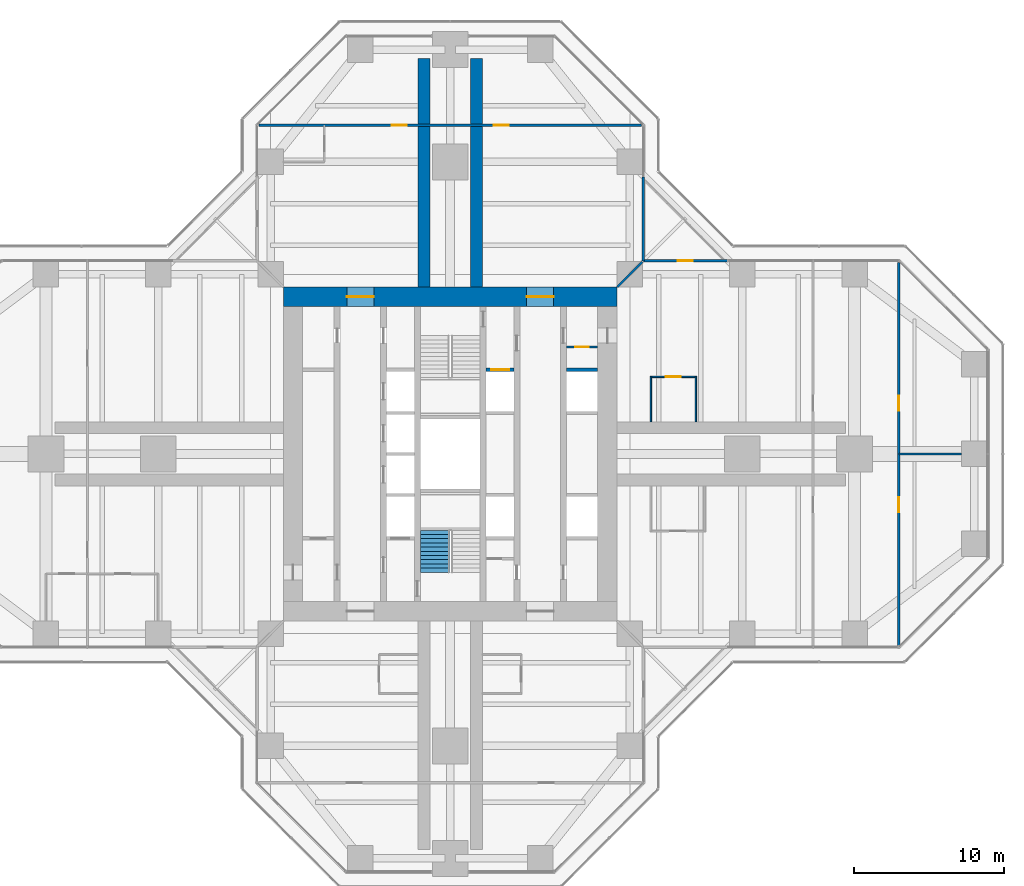
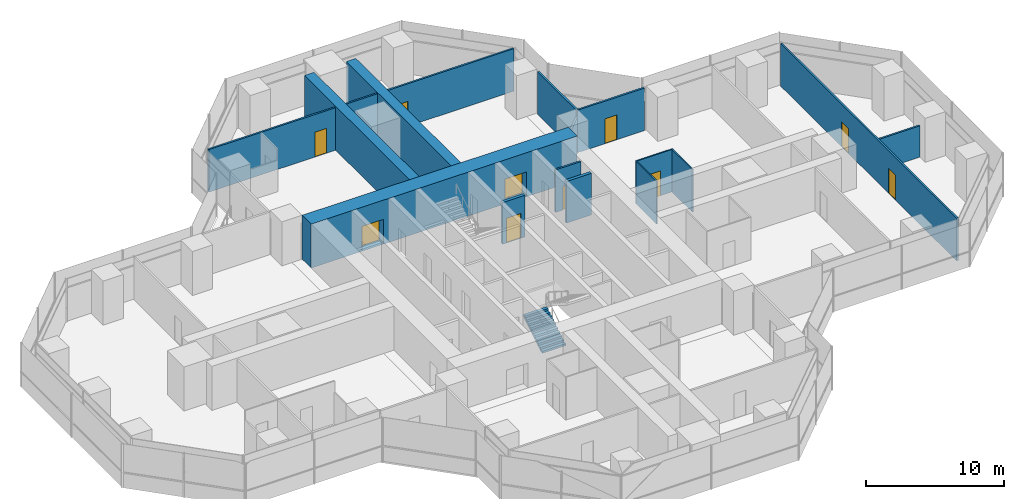
# One storey, part 17 of 19: 15 walls, 10 doors, 1 stair flight, 10 openings, 1 element without a shape of its own.
"""IFC4 building model written with IfcOpenShell, lengths in metres."""

from ifc_helpers import new_model, si_unit, direction, frame, frame_2d, origin, place, context, subcontext, project, spatial, polyline, rectangle, outline, extrude, material, layer, layer_set, type_object, element, fill, aggregate, save


model = new_model("IFC4")

# Units and contexts
model_context = context("Model", 3, precision=1e-05, world=origin(), true_north=direction((0.0, 1.0)))
body_context = subcontext(model_context, "Body", "Model", "MODEL_VIEW")
ifc_project = project(units=[si_unit("LENGTHUNIT", "METRE"), si_unit("AREAUNIT", "SQUARE_METRE"), si_unit("VOLUMEUNIT", "CUBIC_METRE"), si_unit("PLANEANGLEUNIT", "RADIAN"), si_unit("MASSUNIT", "GRAM", prefix="KILO")], contexts=[model_context])

# Site, building, storey
site_placement = place(None, origin())
site = spatial("IfcSite", under=ifc_project, at=site_placement, CompositionType="ELEMENT")
building_placement = place(site_placement, origin())
building = spatial("IfcBuilding", under=site, at=building_placement, Name="Mizan Broadcast Tower", CompositionType="ELEMENT")
storey_placement = place(building_placement, frame((0.0, 0.0, 186.60009765625)))
storey = spatial("IfcBuildingStorey", under=building, at=storey_placement, Name="L43", CompositionType="ELEMENT", Elevation=186.60009765625)

# Wall, opening, door
ifc_material_1 = material(Name="Concrete blockwork", Category="masonry")
ifc_layer_1 = layer(ifc_material_1, 0.14990234375)
ifc_layer_set_1 = layer_set([ifc_layer_1], Name="Concrete blockwork")
wall_type_1 = type_object("IfcWallType", Name="CORE PARTITION 150", PredefinedType="SOLIDWALL", material=ifc_layer_set_1)
wall_1_placement = place(storey_placement, frame((9.85009765625, 7.14990234375, 0.0), z_axis=(0.0, 0.0, 1.0), x_axis=(-1.0, 0.0, 0.0)))
wall_1 = element("IfcWall", 1, at=wall_1_placement, inside=storey, type_object=wall_type_1, Name="Core partition CORE/XPE", PredefinedType="SOLIDWALL", context=body_context, shape_type="SweptSolid", body=[
    extrude(rectangle(XDim=2.10009765625, YDim=0.14990234375, at=frame_2d((1.050048828125, 0.0))), origin(), (0.0, 0.0, 1.0), 3.77001953125),
])
opening_1_placement = place(wall_1_placement, frame((0.60009765625, 0.0, 0.0)))
opening_1 = element("IfcOpeningElement", 2, at=opening_1_placement, cuts=wall_1, Name="Opening D09F", PredefinedType="OPENING", context=body_context, shape_type="SweptSolid", body=[
    extrude(rectangle(XDim=0.89990234375, YDim=2.10009765625, at=frame_2d((0.449951171875, 1.050048828125))), frame((0.0, 0.0849609375, 0.0), z_axis=(0.0, -1.0, 0.0), x_axis=(1.0, 0.0, 0.0)), (0.0, 0.0, 1.0), 0.169921875),
])
ifc_material_2 = material(Name="Steel door leaf in steel frame", Category="steel")
door_type_1 = type_object("IfcDoorType", Name="CORE ROOM DOOR 900 FD90", OperationType="SINGLE_SWING_LEFT", PredefinedType="DOOR", material=ifc_material_2)
door_1_placement = place(opening_1_placement, origin())
door_1 = element("IfcDoor", 3, at=door_1_placement, inside=storey, type_object=door_type_1, Name="Electrical cupboard door", OperationType="SINGLE_SWING_RIGHT", OverallHeight=2.10009765625, OverallWidth=0.89990234375, PredefinedType="DOOR", context=body_context, shape_type="SweptSolid", body=[
    extrude(rectangle(XDim=0.89990234375, YDim=2.10009765625, at=frame_2d((0.449951171875, 1.050048828125))), frame((0.0, 0.02490234375, 0.0), z_axis=(0.0, -1.0, 0.0), x_axis=(1.0, 0.0, 0.0)), (0.0, 0.0, 1.0), 0.050048828125),
])
fill(opening_1, door_1)

# Wall, openings, doors
ifc_material_3 = material(Name="Concrete C70/85", Category="concrete")
ifc_layer_2 = layer(ifc_material_3, 1.300048828125)
ifc_layer_set_2 = layer_set([ifc_layer_2], Name="Concrete C70/85")
wall_type_2 = type_object("IfcWallType", Name="CORE WALL 1300", PredefinedType="SHEAR", material=ifc_layer_set_2)
wall_2_placement = place(storey_placement, frame((-11.14990234375, 10.5, 0.0), z_axis=(0.0, 0.0, 1.0), x_axis=(1.0, 0.0, 0.0)))
wall_2 = element("IfcWall", 4, at=wall_2_placement, inside=storey, type_object=wall_type_2, Name="Core wall N L43", PredefinedType="SHEAR", context=body_context, shape_type="SweptSolid", body=[
    extrude(rectangle(XDim=22.2998046875, YDim=1.300048828125, at=frame_2d((11.14990234375, 0.0))), origin(), (0.0, 0.0, 1.0), 3.89990234375),
])
opening_2_placement = place(wall_2_placement, frame((4.25, 0.0, 0.0)))
opening_2 = element("IfcOpeningElement", 5, at=opening_2_placement, cuts=wall_2, Name="Opening D18F", PredefinedType="OPENING", context=body_context, shape_type="SweptSolid", body=[
    extrude(rectangle(XDim=1.800048828125, YDim=2.199951171875, at=frame_2d((0.89990234375, 1.10009765625))), frame((0.0, 0.659912109375, 0.0), z_axis=(0.0, -1.0, 0.0), x_axis=(1.0, 0.0, 0.0)), (0.0, 0.0, 1.0), 1.320068359375),
])
opening_3_placement = place(wall_2_placement, frame((16.25, 0.0, 0.0)))
opening_3 = element("IfcOpeningElement", 6, at=opening_3_placement, cuts=wall_2, Name="Opening D18F", PredefinedType="OPENING", context=body_context, shape_type="SweptSolid", body=[
    extrude(rectangle(XDim=1.800048828125, YDim=2.199951171875, at=frame_2d((0.89990234375, 1.10009765625))), frame((0.0, 0.659912109375, 0.0), z_axis=(0.0, -1.0, 0.0), x_axis=(1.0, 0.0, 0.0)), (0.0, 0.0, 1.0), 1.320068359375),
])
ifc_material_4 = material(Name="Steel door leaf in steel frame", Category="steel")
door_type_2 = type_object("IfcDoorType", Name="LOBBY DOUBLE DOOR 1800 FD90", OperationType="DOUBLE_DOOR_DOUBLE_SWING", PredefinedType="DOOR", material=ifc_material_4)
door_2_placement = place(opening_2_placement, origin())
door_2 = element("IfcDoor", 7, at=door_2_placement, inside=storey, type_object=door_type_2, Name="West lift lobby north door", OperationType="DOUBLE_DOOR_DOUBLE_SWING", OverallHeight=2.199951171875, OverallWidth=1.800048828125, PredefinedType="DOOR", context=body_context, shape_type="SweptSolid", body=[
    extrude(rectangle(XDim=1.800048828125, YDim=2.199951171875, at=frame_2d((0.89990234375, 1.10009765625))), frame((0.0, 0.02490234375, 0.0), z_axis=(0.0, -1.0, 0.0), x_axis=(1.0, 0.0, 0.0)), (0.0, 0.0, 1.0), 0.050048828125),
])
fill(opening_2, door_2)
door_3_placement = place(opening_3_placement, origin())
door_3 = element("IfcDoor", 8, at=door_3_placement, inside=storey, type_object=door_type_2, Name="East lift lobby north door", OperationType="DOUBLE_DOOR_DOUBLE_SWING", OverallHeight=2.199951171875, OverallWidth=1.800048828125, PredefinedType="DOOR", context=body_context, shape_type="SweptSolid", body=[
    extrude(rectangle(XDim=1.800048828125, YDim=2.199951171875, at=frame_2d((0.89990234375, 1.10009765625))), frame((0.0, 0.02490234375, 0.0), z_axis=(0.0, -1.0, 0.0), x_axis=(1.0, 0.0, 0.0)), (0.0, 0.0, 1.0), 0.050048828125),
])
fill(opening_3, door_3)

# Wall, opening, door
ifc_material_5 = material(Name="Aluminium framed glazed screen", Category="aluminium")
ifc_layer_3 = layer(ifc_material_5, 0.159912109375)
ifc_layer_set_3 = layer_set([ifc_layer_3], Name="Aluminium framed glazed screen")
wall_type_3 = type_object("IfcWallType", Name="GLAZED SCREEN WALL 160", PredefinedType="SOLIDWALL", material=ifc_layer_set_3)
wall_3_placement = place(storey_placement, frame((18.5, 12.89990234375, 0.0), z_axis=(0.0, 0.0, 1.0), x_axis=(-1.0, 0.0, 0.0)))
wall_3 = element("IfcWall", 9, at=wall_3_placement, inside=storey, type_object=wall_type_3, Name="Winter garden screen L43 E", PredefinedType="SOLIDWALL", context=body_context, shape_type="SweptSolid", body=[
    extrude(rectangle(XDim=5.60009765625, YDim=0.159912109375, at=frame_2d((2.800048828125, 0.0))), origin(), (0.0, 0.0, 1.0), 3.77001953125),
])
opening_4_placement = place(wall_3_placement, frame((2.300048828125, 0.0, 0.0)))
opening_4 = element("IfcOpeningElement", 10, at=opening_4_placement, cuts=wall_3, Name="Opening WGD", PredefinedType="OPENING", context=body_context, shape_type="SweptSolid", body=[
    extrude(rectangle(XDim=1.0, YDim=2.199951171875, at=frame_2d((0.5, 1.10009765625))), frame((0.0, 0.08984375, 0.0), z_axis=(0.0, -1.0, 0.0), x_axis=(1.0, 0.0, 0.0)), (0.0, 0.0, 1.0), 0.179931640625),
])
ifc_material_6 = material(Name="Aluminium framed glazed door", Category="aluminium")
door_type_3 = type_object("IfcDoorType", Name="WINTER GARDEN DOOR 1000 GLAZED", OperationType="SINGLE_SWING_LEFT", PredefinedType="DOOR", material=ifc_material_6)
door_4_placement = place(opening_4_placement, origin())
door_4 = element("IfcDoor", 11, at=door_4_placement, inside=storey, type_object=door_type_3, Name="Winter garden door L43 E", OperationType="SINGLE_SWING_RIGHT", OverallHeight=2.199951171875, OverallWidth=1.0, PredefinedType="DOOR", context=body_context, shape_type="SweptSolid", body=[
    extrude(rectangle(XDim=1.0, YDim=2.199951171875, at=frame_2d((0.5, 1.10009765625))), frame((0.0, 0.02490234375, 0.0), z_axis=(0.0, -1.0, 0.0), x_axis=(1.0, 0.0, 0.0)), (0.0, 0.0, 1.0), 0.050048828125),
])
fill(opening_4, door_4)

# Wall
wall_4_placement = place(storey_placement, frame((12.89990234375, 12.89990234375, 0.0), z_axis=(0.0, 0.0, 1.0), x_axis=(0.0, 1.0, 0.0)))
element("IfcWall", 12, at=wall_4_placement, inside=storey, type_object=wall_type_3, Name="Winter garden screen L43 N", PredefinedType="SOLIDWALL", context=body_context, shape_type="SweptSolid", body=[
    extrude(rectangle(XDim=5.60009765625, YDim=0.159912109375, at=frame_2d((2.800048828125, 0.0))), origin(), (0.0, 0.0, 1.0), 3.77001953125),
])

# Wall, opening, door
ifc_material_7 = material(Name="Concrete blockwork", Category="masonry")
ifc_layer_4 = layer(ifc_material_7, 0.25)
ifc_layer_set_4 = layer_set([ifc_layer_4], Name="Concrete blockwork")
wall_type_4 = type_object("IfcWallType", Name="LOBBY ENCLOSURE WALL 250", PredefinedType="SOLIDWALL", material=ifc_layer_set_4)
wall_5_placement = place(storey_placement, frame((2.39990234375, 5.625, 0.0), z_axis=(0.0, 0.0, 1.0), x_axis=(1.0, 0.0, 0.0)))
wall_5 = element("IfcWall", 13, at=wall_5_placement, inside=storey, type_object=wall_type_4, Name="Lobby enclosure wall CORE/BE2N", PredefinedType="SOLIDWALL", context=body_context, shape_type="SweptSolid", body=[
    extrude(rectangle(XDim=1.85009765625, YDim=0.25, at=frame_2d((0.925048828125, 0.0))), origin(), (0.0, 0.0, 1.0), 3.699951171875),
])
opening_5_placement = place(wall_5_placement, frame((0.324951171875, 0.0, 0.0)))
opening_5 = element("IfcOpeningElement", 14, at=opening_5_placement, cuts=wall_5, Name="Opening LDF", PredefinedType="OPENING", context=body_context, shape_type="SweptSolid", body=[
    extrude(rectangle(XDim=1.199951171875, YDim=2.199951171875, at=frame_2d((0.60009765625, 1.10009765625))), frame((0.0, 0.135009765625, 0.0), z_axis=(0.0, -1.0, 0.0), x_axis=(1.0, 0.0, 0.0)), (0.0, 0.0, 1.0), 0.27001953125),
])
ifc_material_8 = material(Name="Steel door leaf in steel frame", Category="steel")
door_type_4 = type_object("IfcDoorType", Name="FIREFIGHTING LIFT LANDING DOOR 1200", OperationType="SLIDING_TO_LEFT", PredefinedType="DOOR", material=ifc_material_8)
door_5_placement = place(opening_5_placement, origin())
door_5 = element("IfcDoor", 15, at=door_5_placement, inside=storey, type_object=door_type_4, Name="Landing door FF2", OperationType="SLIDING_TO_LEFT", OverallHeight=2.199951171875, OverallWidth=1.199951171875, PredefinedType="DOOR", context=body_context, shape_type="SweptSolid", body=[
    extrude(rectangle(XDim=1.199951171875, YDim=2.199951171875, at=frame_2d((0.60009765625, 1.10009765625))), frame((0.0, 0.02490234375, 0.0), z_axis=(0.0, -1.0, 0.0), x_axis=(1.0, 0.0, 0.0)), (0.0, 0.0, 1.0), 0.050048828125),
])
fill(opening_5, door_5)

# Wall
wall_6_placement = place(storey_placement, frame((7.75, 5.625, 0.0), z_axis=(0.0, 0.0, 1.0), x_axis=(1.0, 0.0, 0.0)))
element("IfcWall", 16, at=wall_6_placement, inside=storey, type_object=wall_type_4, Name="Lobby enclosure wall CORE/BE1N", PredefinedType="SOLIDWALL", context=body_context, shape_type="SweptSolid", body=[
    extrude(rectangle(XDim=2.10009765625, YDim=0.25, at=frame_2d((1.050048828125, 0.0))), origin(), (0.0, 0.0, 1.0), 3.699951171875),
])

# Wall, openings, doors
ifc_material_9 = material(Name="Gypsum board on steel studs", Category="steel")
ifc_layer_5 = layer(ifc_material_9, 0.14990234375)
ifc_layer_set_5 = layer_set([ifc_layer_5], Name="Gypsum board on steel studs")
wall_type_5 = type_object("IfcWallType", Name="PARTITION 150", PredefinedType="PARTITIONING", material=ifc_layer_set_5)
wall_7_placement = place(storey_placement, frame((29.958984375, -12.786376953125, 0.0), z_axis=(0.0, 0.0, 1.0), x_axis=(0.0, 1.0, 0.0)))
wall_7 = element("IfcWall", 17, at=wall_7_placement, inside=storey, type_object=wall_type_5, Name="Partition PT/EX2", PredefinedType="PARTITIONING", context=body_context, shape_type="SweptSolid", body=[
    extrude(rectangle(XDim=25.57275390625, YDim=0.14990234375, at=frame_2d((12.786376953125, 0.0))), origin(), (0.0, 0.0, 1.0), 3.77001953125),
])
opening_6_placement = place(wall_7_placement, frame((15.6865234375, 0.0, 0.0)))
opening_6 = element("IfcOpeningElement", 18, at=opening_6_placement, cuts=wall_7, Name="Opening D10", PredefinedType="OPENING", context=body_context, shape_type="SweptSolid", body=[
    extrude(rectangle(XDim=1.0, YDim=2.199951171875, at=frame_2d((0.5, 1.10009765625))), frame((0.0, 0.0849609375, 0.0), z_axis=(0.0, -1.0, 0.0), x_axis=(1.0, 0.0, 0.0)), (0.0, 0.0, 1.0), 0.169921875),
])
opening_7_placement = place(wall_7_placement, frame((8.886474609375, 0.0, 0.0)))
opening_7 = element("IfcOpeningElement", 19, at=opening_7_placement, cuts=wall_7, Name="Opening D10", PredefinedType="OPENING", context=body_context, shape_type="SweptSolid", body=[
    extrude(rectangle(XDim=1.0, YDim=2.199951171875, at=frame_2d((0.5, 1.10009765625))), frame((0.0, 0.0849609375, 0.0), z_axis=(0.0, -1.0, 0.0), x_axis=(1.0, 0.0, 0.0)), (0.0, 0.0, 1.0), 0.169921875),
])
ifc_material_10 = material(Name="Timber door leaf in aluminium frame", Category="wood")
door_type_5 = type_object("IfcDoorType", Name="ROOM DOOR 1000", OperationType="SINGLE_SWING_LEFT", PredefinedType="DOOR", material=ifc_material_10)
door_6_placement = place(opening_6_placement, origin())
door_6 = element("IfcDoor", 20, at=door_6_placement, inside=storey, type_object=door_type_5, Name="Open office door", OperationType="SINGLE_SWING_RIGHT", OverallHeight=2.199951171875, OverallWidth=1.0, PredefinedType="DOOR", context=body_context, shape_type="SweptSolid", body=[
    extrude(rectangle(XDim=1.0, YDim=2.199951171875, at=frame_2d((0.5, 1.10009765625))), frame((0.0, 0.02490234375, 0.0), z_axis=(0.0, -1.0, 0.0), x_axis=(1.0, 0.0, 0.0)), (0.0, 0.0, 1.0), 0.050048828125),
])
fill(opening_6, door_6)
door_7_placement = place(opening_7_placement, origin())
door_7 = element("IfcDoor", 21, at=door_7_placement, inside=storey, type_object=door_type_5, Name="Open office door", OperationType="SINGLE_SWING_LEFT", OverallHeight=2.199951171875, OverallWidth=1.0, PredefinedType="DOOR", context=body_context, shape_type="SweptSolid", body=[
    extrude(rectangle(XDim=1.0, YDim=2.199951171875, at=frame_2d((0.5, 1.10009765625))), frame((0.0, 0.02490234375, 0.0), z_axis=(0.0, -1.0, 0.0), x_axis=(1.0, 0.0, 0.0)), (0.0, 0.0, 1.0), 0.050048828125),
])
fill(opening_7, door_7)

# Wall
wall_8_placement = place(storey_placement, frame((29.958984375, 0.0, 0.0), z_axis=(0.0, 0.0, 1.0), x_axis=(1.0, 0.0, 0.0)))
element("IfcWall", 22, at=wall_8_placement, inside=storey, type_object=wall_type_5, Name="Partition PT/EES", PredefinedType="PARTITIONING", context=body_context, shape_type="SweptSolid", body=[
    extrude(rectangle(XDim=4.19091796875, YDim=0.14990234375, at=frame_2d((2.095458984375, 0.0))), origin(), (0.0, 0.0, 1.0), 2.77001953125),
])

# Wall, openings, doors
wall_9_placement = place(storey_placement, frame((12.786376953125, 21.958984375, 0.0), z_axis=(0.0, 0.0, 1.0), x_axis=(-1.0, 0.0, 0.0)))
wall_9 = element("IfcWall", 23, at=wall_9_placement, inside=storey, type_object=wall_type_5, Name="Partition PT/NX1", PredefinedType="PARTITIONING", context=body_context, shape_type="SweptSolid", body=[
    extrude(rectangle(XDim=25.57275390625, YDim=0.14990234375, at=frame_2d((12.786376953125, 0.0))), origin(), (0.0, 0.0, 1.0), 3.77001953125),
])
opening_8_placement = place(wall_9_placement, frame((15.6865234375, 0.0, 0.0)))
opening_8 = element("IfcOpeningElement", 24, at=opening_8_placement, cuts=wall_9, Name="Opening D10", PredefinedType="OPENING", context=body_context, shape_type="SweptSolid", body=[
    extrude(rectangle(XDim=1.0, YDim=2.199951171875, at=frame_2d((0.5, 1.10009765625))), frame((0.0, 0.0849609375, 0.0), z_axis=(0.0, -1.0, 0.0), x_axis=(1.0, 0.0, 0.0)), (0.0, 0.0, 1.0), 0.169921875),
])
opening_9_placement = place(wall_9_placement, frame((8.886474609375, 0.0, 0.0)))
opening_9 = element("IfcOpeningElement", 25, at=opening_9_placement, cuts=wall_9, Name="Opening D10", PredefinedType="OPENING", context=body_context, shape_type="SweptSolid", body=[
    extrude(rectangle(XDim=1.0, YDim=2.199951171875, at=frame_2d((0.5, 1.10009765625))), frame((0.0, 0.0849609375, 0.0), z_axis=(0.0, -1.0, 0.0), x_axis=(1.0, 0.0, 0.0)), (0.0, 0.0, 1.0), 0.169921875),
])
door_8_placement = place(opening_8_placement, origin())
door_8 = element("IfcDoor", 26, at=door_8_placement, inside=storey, type_object=door_type_5, Name="Office door", OperationType="SINGLE_SWING_RIGHT", OverallHeight=2.199951171875, OverallWidth=1.0, PredefinedType="DOOR", context=body_context, shape_type="SweptSolid", body=[
    extrude(rectangle(XDim=1.0, YDim=2.199951171875, at=frame_2d((0.5, 1.10009765625))), frame((0.0, 0.02490234375, 0.0), z_axis=(0.0, -1.0, 0.0), x_axis=(1.0, 0.0, 0.0)), (0.0, 0.0, 1.0), 0.050048828125),
])
fill(opening_8, door_8)
door_9_placement = place(opening_9_placement, origin())
door_9 = element("IfcDoor", 27, at=door_9_placement, inside=storey, type_object=door_type_5, Name="Office door", OperationType="SINGLE_SWING_LEFT", OverallHeight=2.199951171875, OverallWidth=1.0, PredefinedType="DOOR", context=body_context, shape_type="SweptSolid", body=[
    extrude(rectangle(XDim=1.0, YDim=2.199951171875, at=frame_2d((0.5, 1.10009765625))), frame((0.0, 0.02490234375, 0.0), z_axis=(0.0, -1.0, 0.0), x_axis=(1.0, 0.0, 0.0)), (0.0, 0.0, 1.0), 0.050048828125),
])
fill(opening_9, door_9)

# Walls
wall_10_placement = place(storey_placement, frame((11.14990234375, 11.14990234375, 0.0), z_axis=(0.0, 0.0, 1.0), x_axis=(0.707106781187, 0.707106781187, 0.0)))
element("IfcWall", 28, at=wall_10_placement, inside=storey, type_object=wall_type_5, Name="Partition PT/DGEN", PredefinedType="PARTITIONING", context=body_context, shape_type="SweptSolid", body=[
    extrude(rectangle(XDim=2.362060546875, YDim=0.14990234375, at=frame_2d((1.18115234375, 0.0))), origin(), (0.0, 0.0, 1.0), 3.219970703125),
])
ifc_material_11 = material(Name="Glazed aluminium partition on aluminium track", Category="aluminium")
ifc_layer_6 = layer(ifc_material_11, 0.10009765625)
ifc_layer_set_6 = layer_set([ifc_layer_6], Name="Glazed aluminium partition on aluminium track")
wall_type_6 = type_object("IfcWallType", Name="PARTITION GLAZED OFFICE FRONT 100", PredefinedType="PARTITIONING", material=ifc_layer_set_6)
for number, where, z_axis, x_axis, name in (
    (29, (13.39990234375, 2.14990234375, 0.0), (0.0, 0.0, 1.0), (0.0, 1.0, 0.0), "Glazed office front PT/EKP0a"),
    (30, (16.39990234375, 2.14990234375, 0.0), (0.0, 0.0, 1.0), (0.0, 1.0, 0.0), "Glazed office front PT/EKP0b"),
):
    element("IfcWall", number, at=place(storey_placement, frame(where, z_axis=z_axis, x_axis=x_axis)), inside=storey, type_object=wall_type_6, Name=name, PredefinedType="PARTITIONING", context=body_context, shape_type="SweptSolid", body=[
        extrude(rectangle(XDim=3.0, YDim=0.10009765625, at=frame_2d((1.5, 0.0))), origin(), (0.0, 0.0, 1.0), 3.77001953125),
    ])

# Wall, opening, door
wall_11_placement = place(storey_placement, frame((13.35009765625, 5.14990234375, 0.0), z_axis=(0.0, 0.0, 1.0), x_axis=(1.0, 0.0, 0.0)))
wall_11 = element("IfcWall", 31, at=wall_11_placement, inside=storey, type_object=wall_type_6, Name="Glazed office front PT/EKP0f", PredefinedType="PARTITIONING", context=body_context, shape_type="SweptSolid", body=[
    extrude(rectangle(XDim=3.099853515625, YDim=0.10009765625, at=frame_2d((1.5498046875, 0.0))), origin(), (0.0, 0.0, 1.0), 3.77001953125),
])
opening_10_placement = place(wall_11_placement, frame((1.050048828125, 0.0, 0.0)))
opening_10 = element("IfcOpeningElement", 32, at=opening_10_placement, cuts=wall_11, Name="Opening D10O", PredefinedType="OPENING", context=body_context, shape_type="SweptSolid", body=[
    extrude(rectangle(XDim=1.0, YDim=2.199951171875, at=frame_2d((0.5, 1.10009765625))), frame((0.0, 0.06005859375, 0.0), z_axis=(0.0, -1.0, 0.0), x_axis=(1.0, 0.0, 0.0)), (0.0, 0.0, 1.0), 0.1201171875),
])
ifc_material_12 = material(Name="Timber door leaf in aluminium frame", Category="wood")
door_type_6 = type_object("IfcDoorType", Name="OFFICE DOOR 1000 GLAZED", OperationType="SINGLE_SWING_LEFT", PredefinedType="DOOR", material=ifc_material_12)
door_10_placement = place(opening_10_placement, origin())
door_10 = element("IfcDoor", 33, at=door_10_placement, inside=storey, type_object=door_type_6, Name="Pantry door", OperationType="SINGLE_SWING_LEFT", OverallHeight=2.199951171875, OverallWidth=1.0, PredefinedType="DOOR", context=body_context, shape_type="SweptSolid", body=[
    extrude(rectangle(XDim=1.0, YDim=2.199951171875, at=frame_2d((0.5, 1.10009765625))), frame((0.0, 0.02490234375, 0.0), z_axis=(0.0, -1.0, 0.0), x_axis=(1.0, 0.0, 0.0)), (0.0, 0.0, 1.0), 0.050048828125),
])
fill(opening_10, door_10)

# Walls
ifc_material_13 = material(Name="Concrete C70/85", Category="concrete")
ifc_layer_7 = layer(ifc_material_13, 0.800048828125)
ifc_layer_set_7 = layer_set([ifc_layer_7], Name="Concrete C70/85")
wall_type_7 = type_object("IfcWallType", Name="SPINE WALL 800", PredefinedType="SHEAR", material=ifc_layer_set_7)
for number, where, z_axis, x_axis, name in (
    (34, (1.75, 11.14990234375, 0.0), (0.0, 0.0, 1.0), (0.0, 1.0, 0.0), "Spine wall NR L43"),
    (35, (-1.75, 11.14990234375, 0.0), (0.0, 0.0, 1.0), (0.0, 1.0, 0.0), "Spine wall NL L43"),
):
    element("IfcWall", number, at=place(storey_placement, frame(where, z_axis=z_axis, x_axis=x_axis)), inside=storey, type_object=wall_type_7, Name=name, PredefinedType="SHEAR", context=body_context, shape_type="SweptSolid", body=[
        extrude(rectangle(XDim=15.25, YDim=0.800048828125, at=frame_2d((7.625, 0.0))), origin(), (0.0, 0.0, 1.0), 3.89990234375),
    ])

# Stair, stair flight
ifc_material_14 = material(Name="Concrete C40/50", Category="concrete")
stair_type = type_object("IfcStairType", Name="EXIT STAIR", PredefinedType="HALF_TURN_STAIR", material=ifc_material_14)
stair_placement = place(storey_placement, origin())
stair = element("IfcStair", 36, at=stair_placement, inside=storey, type_object=stair_type, Name="Stair A L43", PredefinedType="HALF_TURN_STAIR")
ifc_material_15 = material(Name="Concrete C40/50", Category="concrete")
stair_flight_type = type_object("IfcStairFlightType", Name="EXIT STAIR FLIGHT", PredefinedType="STRAIGHT", material=ifc_material_15)
stair_flight_placement = place(storey_placement, frame((-1.02490234375, -7.89990234375, 0.0), z_axis=(0.0, 0.0, 1.0), x_axis=(0.0, 1.0, 0.0)))
stair_flight = element("IfcStairFlight", 37, at=stair_flight_placement, type_object=stair_flight_type, Name="A flight 1", NumberOfRisers=11, NumberOfTreads=10, PredefinedType="STRAIGHT", RiserHeight=0.177272727, TreadLength=0.28, context=body_context, shape_type="SweptSolid", body=[
    extrude(outline(polyline([(0.0, 0.0), (0.0, 0.17724609375), (0.280029296875, 0.17724609375), (0.280029296875, 0.3544921875), (0.56005859375, 0.3544921875), (0.56005859375, 0.53173828125), (0.840087890625, 0.53173828125), (0.840087890625, 0.708984375), (1.1201171875, 0.708984375), (1.1201171875, 0.886474609375), (1.39990234375, 0.886474609375), (1.39990234375, 1.063720703125), (1.679931640625, 1.063720703125), (1.679931640625, 1.240966796875), (1.9599609375, 1.240966796875), (1.9599609375, 1.418212890625), (2.239990234375, 1.418212890625), (2.239990234375, 1.595458984375), (2.52001953125, 1.595458984375), (2.52001953125, 1.772705078125), (2.800048828125, 1.772705078125), (2.800048828125, 1.949951171875), (2.800048828125, 1.59521484375), (0.2802734375, 0.0), (0.0, 0.0)])), frame((0.0, 0.97509765625, 0.0), z_axis=(0.0, -1.0, 0.0), x_axis=(1.0, 0.0, 0.0)), (0.0, 0.0, 1.0), 0.4873046875),
    extrude(outline(polyline([(0.0, 0.0), (0.0, 0.17724609375), (0.280029296875, 0.17724609375), (0.280029296875, 0.3544921875), (0.56005859375, 0.3544921875), (0.56005859375, 0.53173828125), (0.840087890625, 0.53173828125), (0.840087890625, 0.708984375), (1.1201171875, 0.708984375), (1.1201171875, 0.886474609375), (1.39990234375, 0.886474609375), (1.39990234375, 1.063720703125), (1.679931640625, 1.063720703125), (1.679931640625, 1.240966796875), (1.9599609375, 1.240966796875), (1.9599609375, 1.418212890625), (2.239990234375, 1.418212890625), (2.239990234375, 1.595458984375), (2.52001953125, 1.595458984375), (2.52001953125, 1.772705078125), (2.800048828125, 1.772705078125), (2.800048828125, 1.949951171875), (2.800048828125, 1.59521484375), (0.2802734375, 0.0), (0.0, 0.0)])), frame((0.0, 0.4873046875, 0.0), z_axis=(0.0, -1.0, 0.0), x_axis=(1.0, 0.0, 0.0)), (0.0, 0.0, 1.0), 0.2431640625),
    extrude(outline(polyline([(0.0, 0.0), (0.0, 0.17724609375), (0.280029296875, 0.17724609375), (0.280029296875, 0.3544921875), (0.56005859375, 0.3544921875), (0.56005859375, 0.53173828125), (0.840087890625, 0.53173828125), (0.840087890625, 0.708984375), (1.1201171875, 0.708984375), (1.1201171875, 0.886474609375), (1.39990234375, 0.886474609375), (1.39990234375, 1.063720703125), (1.679931640625, 1.063720703125), (1.679931640625, 1.240966796875), (1.9599609375, 1.240966796875), (1.9599609375, 1.418212890625), (2.239990234375, 1.418212890625), (2.239990234375, 1.595458984375), (2.52001953125, 1.595458984375), (2.52001953125, 1.772705078125), (2.800048828125, 1.772705078125), (2.800048828125, 1.949951171875), (2.800048828125, 1.59521484375), (0.2802734375, 0.0), (0.0, 0.0)])), frame((0.0, 0.24365234375, 0.0), z_axis=(0.0, -1.0, 0.0), x_axis=(1.0, 0.0, 0.0)), (0.0, 0.0, 1.0), 0.121337890625),
    extrude(outline(polyline([(0.0, 0.0), (0.0, 0.17724609375), (0.280029296875, 0.17724609375), (0.280029296875, 0.3544921875), (0.56005859375, 0.3544921875), (0.56005859375, 0.53173828125), (0.840087890625, 0.53173828125), (0.840087890625, 0.708984375), (1.1201171875, 0.708984375), (1.1201171875, 0.886474609375), (1.39990234375, 0.886474609375), (1.39990234375, 1.063720703125), (1.679931640625, 1.063720703125), (1.679931640625, 1.240966796875), (1.9599609375, 1.240966796875), (1.9599609375, 1.418212890625), (2.239990234375, 1.418212890625), (2.239990234375, 1.595458984375), (2.52001953125, 1.595458984375), (2.52001953125, 1.772705078125), (2.800048828125, 1.772705078125), (2.800048828125, 1.949951171875), (2.800048828125, 1.59521484375), (0.2802734375, 0.0), (0.0, 0.0)])), frame((0.0, 0.121826171875, 0.0), z_axis=(0.0, -1.0, 0.0), x_axis=(1.0, 0.0, 0.0)), (0.0, 0.0, 1.0), 0.060546875),
    extrude(outline(polyline([(0.0, 0.0), (0.0, 0.17724609375), (0.280029296875, 0.17724609375), (0.280029296875, 0.3544921875), (0.56005859375, 0.3544921875), (0.56005859375, 0.53173828125), (0.840087890625, 0.53173828125), (0.840087890625, 0.708984375), (1.1201171875, 0.708984375), (1.1201171875, 0.886474609375), (1.39990234375, 0.886474609375), (1.39990234375, 1.063720703125), (1.679931640625, 1.063720703125), (1.679931640625, 1.240966796875), (1.9599609375, 1.240966796875), (1.9599609375, 1.418212890625), (2.239990234375, 1.418212890625), (2.239990234375, 1.595458984375), (2.52001953125, 1.595458984375), (2.52001953125, 1.772705078125), (2.800048828125, 1.772705078125), (2.800048828125, 1.949951171875), (2.800048828125, 1.59521484375), (0.2802734375, 0.0), (0.0, 0.0)])), frame((0.0, 0.060791015625, 0.0), z_axis=(0.0, -1.0, 0.0), x_axis=(1.0, 0.0, 0.0)), (0.0, 0.0, 1.0), 0.030029296875),
    extrude(outline(polyline([(0.0, 0.0), (0.0, 0.17724609375), (0.280029296875, 0.17724609375), (0.280029296875, 0.3544921875), (0.56005859375, 0.3544921875), (0.56005859375, 0.53173828125), (0.840087890625, 0.53173828125), (0.840087890625, 0.708984375), (1.1201171875, 0.708984375), (1.1201171875, 0.886474609375), (1.39990234375, 0.886474609375), (1.39990234375, 1.063720703125), (1.679931640625, 1.063720703125), (1.679931640625, 1.240966796875), (1.9599609375, 1.240966796875), (1.9599609375, 1.418212890625), (2.239990234375, 1.418212890625), (2.239990234375, 1.595458984375), (2.52001953125, 1.595458984375), (2.52001953125, 1.772705078125), (2.800048828125, 1.772705078125), (2.800048828125, 1.949951171875), (2.800048828125, 1.59521484375), (0.2802734375, 0.0), (0.0, 0.0)])), frame((0.0, 0.0302734375, 0.0), z_axis=(0.0, -1.0, 0.0), x_axis=(1.0, 0.0, 0.0)), (0.0, 0.0, 1.0), 0.060302734375),
    extrude(outline(polyline([(0.0, 0.0), (0.0, 0.17724609375), (0.280029296875, 0.17724609375), (0.280029296875, 0.3544921875), (0.56005859375, 0.3544921875), (0.56005859375, 0.53173828125), (0.840087890625, 0.53173828125), (0.840087890625, 0.708984375), (1.1201171875, 0.708984375), (1.1201171875, 0.886474609375), (1.39990234375, 0.886474609375), (1.39990234375, 1.063720703125), (1.679931640625, 1.063720703125), (1.679931640625, 1.240966796875), (1.9599609375, 1.240966796875), (1.9599609375, 1.418212890625), (2.239990234375, 1.418212890625), (2.239990234375, 1.595458984375), (2.52001953125, 1.595458984375), (2.52001953125, 1.772705078125), (2.800048828125, 1.772705078125), (2.800048828125, 1.949951171875), (2.800048828125, 1.59521484375), (0.2802734375, 0.0), (0.0, 0.0)])), frame((0.0, -0.030517578125, 0.0), z_axis=(0.0, -1.0, 0.0), x_axis=(1.0, 0.0, 0.0)), (0.0, 0.0, 1.0), 0.030029296875),
    extrude(outline(polyline([(0.0, 0.0), (0.0, 0.17724609375), (0.280029296875, 0.17724609375), (0.280029296875, 0.3544921875), (0.56005859375, 0.3544921875), (0.56005859375, 0.53173828125), (0.840087890625, 0.53173828125), (0.840087890625, 0.708984375), (1.1201171875, 0.708984375), (1.1201171875, 0.886474609375), (1.39990234375, 0.886474609375), (1.39990234375, 1.063720703125), (1.679931640625, 1.063720703125), (1.679931640625, 1.240966796875), (1.9599609375, 1.240966796875), (1.9599609375, 1.418212890625), (2.239990234375, 1.418212890625), (2.239990234375, 1.595458984375), (2.52001953125, 1.595458984375), (2.52001953125, 1.772705078125), (2.800048828125, 1.772705078125), (2.800048828125, 1.949951171875), (2.800048828125, 1.59521484375), (0.2802734375, 0.0), (0.0, 0.0)])), frame((0.0, -0.06103515625, 0.0), z_axis=(0.0, -1.0, 0.0), x_axis=(1.0, 0.0, 0.0)), (0.0, 0.0, 1.0), 0.060546875),
    extrude(outline(polyline([(0.0, 0.0), (0.0, 0.17724609375), (0.280029296875, 0.17724609375), (0.280029296875, 0.3544921875), (0.56005859375, 0.3544921875), (0.56005859375, 0.53173828125), (0.840087890625, 0.53173828125), (0.840087890625, 0.708984375), (1.1201171875, 0.708984375), (1.1201171875, 0.886474609375), (1.39990234375, 0.886474609375), (1.39990234375, 1.063720703125), (1.679931640625, 1.063720703125), (1.679931640625, 1.240966796875), (1.9599609375, 1.240966796875), (1.9599609375, 1.418212890625), (2.239990234375, 1.418212890625), (2.239990234375, 1.595458984375), (2.52001953125, 1.595458984375), (2.52001953125, 1.772705078125), (2.800048828125, 1.772705078125), (2.800048828125, 1.949951171875), (2.800048828125, 1.59521484375), (0.2802734375, 0.0), (0.0, 0.0)])), frame((0.0, -0.1220703125, 0.0), z_axis=(0.0, -1.0, 0.0), x_axis=(1.0, 0.0, 0.0)), (0.0, 0.0, 1.0), 0.121337890625),
    extrude(outline(polyline([(0.0, 0.0), (0.0, 0.17724609375), (0.280029296875, 0.17724609375), (0.280029296875, 0.3544921875), (0.56005859375, 0.3544921875), (0.56005859375, 0.53173828125), (0.840087890625, 0.53173828125), (0.840087890625, 0.708984375), (1.1201171875, 0.708984375), (1.1201171875, 0.886474609375), (1.39990234375, 0.886474609375), (1.39990234375, 1.063720703125), (1.679931640625, 1.063720703125), (1.679931640625, 1.240966796875), (1.9599609375, 1.240966796875), (1.9599609375, 1.418212890625), (2.239990234375, 1.418212890625), (2.239990234375, 1.595458984375), (2.52001953125, 1.595458984375), (2.52001953125, 1.772705078125), (2.800048828125, 1.772705078125), (2.800048828125, 1.949951171875), (2.800048828125, 1.59521484375), (0.2802734375, 0.0), (0.0, 0.0)])), frame((0.0, -0.243896484375, 0.0), z_axis=(0.0, -1.0, 0.0), x_axis=(1.0, 0.0, 0.0)), (0.0, 0.0, 1.0), 0.2431640625),
    extrude(outline(polyline([(0.0, 0.0), (0.0, 0.17724609375), (0.280029296875, 0.17724609375), (0.280029296875, 0.3544921875), (0.56005859375, 0.3544921875), (0.56005859375, 0.53173828125), (0.840087890625, 0.53173828125), (0.840087890625, 0.708984375), (1.1201171875, 0.708984375), (1.1201171875, 0.886474609375), (1.39990234375, 0.886474609375), (1.39990234375, 1.063720703125), (1.679931640625, 1.063720703125), (1.679931640625, 1.240966796875), (1.9599609375, 1.240966796875), (1.9599609375, 1.418212890625), (2.239990234375, 1.418212890625), (2.239990234375, 1.595458984375), (2.52001953125, 1.595458984375), (2.52001953125, 1.772705078125), (2.800048828125, 1.772705078125), (2.800048828125, 1.949951171875), (2.800048828125, 1.59521484375), (0.2802734375, 0.0), (0.0, 0.0)])), frame((0.0, -0.487548828125, 0.0), z_axis=(0.0, -1.0, 0.0), x_axis=(1.0, 0.0, 0.0)), (0.0, 0.0, 1.0), 0.4873046875),
])
aggregate(stair, [stair_flight])

save(model, "model.ifc")
